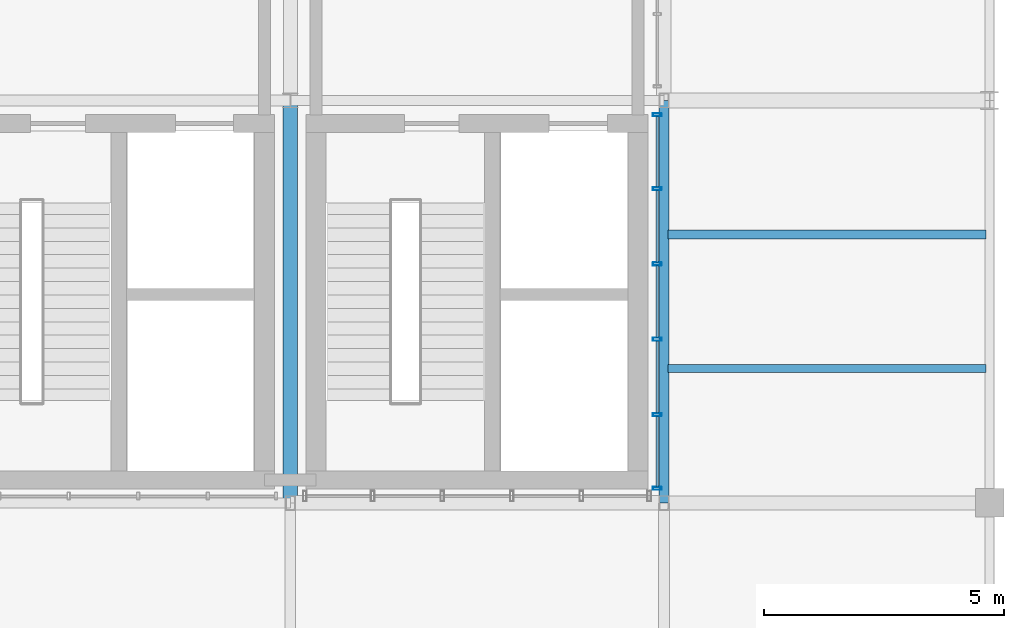
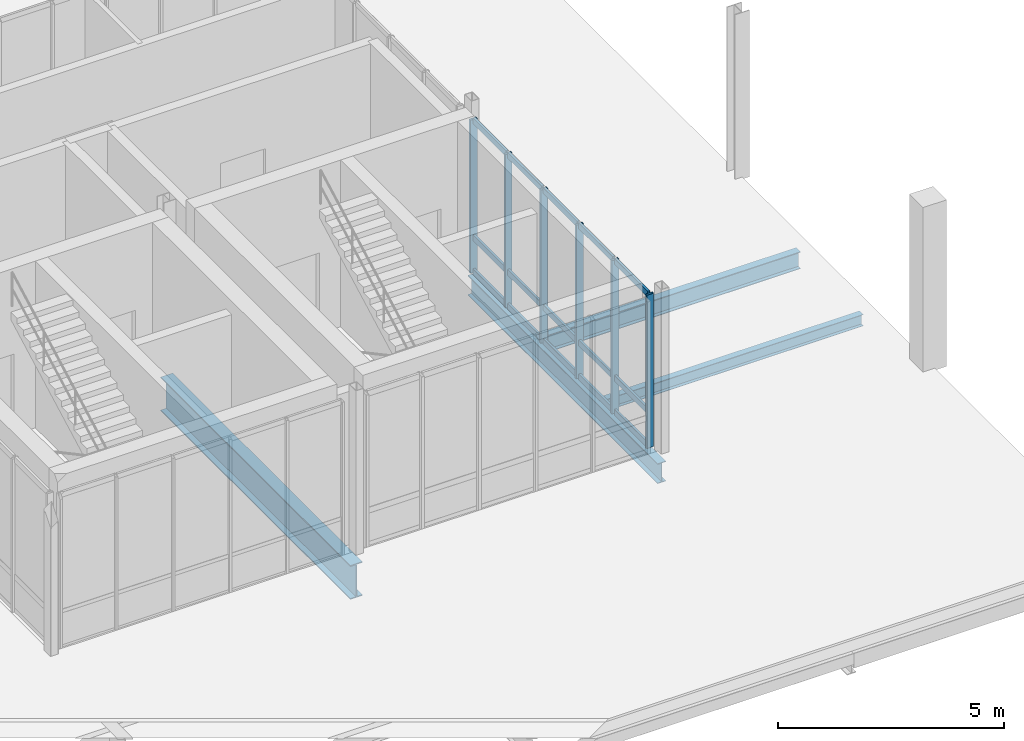
# One storey, part 39 of 66: 21 members, 4 beams, 1 element without a shape of its own.
"""IFC4 building model written with IfcOpenShell, lengths in metres."""

import ifcopenshell
import ifcopenshell.guid

model = None  # the IFC model being written
_history = None  # IfcOwnerHistory: only IFC2X3 demands one
_inside = {}  # id of a spatial element -> (the spatial element, [elements in it])
_under = {}  # id of a project, library or spatial element -> (it, [spatial elements below it])
_declared = {}  # id of a project -> (the project, [libraries it declares])
_typed = {}  # id of a type object -> (the type object, [elements of that type])
_made_of = {}  # id of a material, layer set ... -> (it, [elements and type objects made of it])


def new_model(schema):
    """Start an empty IFC model of exactly this schema.

    Asked for "IFC4X3", IfcOpenShell would pick the latest addendum, in which some entities
    have other attributes; the version numbers below select the first issue.
    IFC2X3 requires an IfcOwnerHistory on every rooted entity: one is made here for all.
    """
    global model, _history
    if schema == "IFC4X3":
        model = ifcopenshell.file(schema_version=(4, 3, 0, 0))
    else:
        model = ifcopenshell.file(schema=schema)
    _inside.clear()
    _under.clear()
    _declared.clear()
    _typed.clear()
    _made_of.clear()
    _history = None
    if model.schema == "IFC2X3":
        org = make("IfcOrganization", Name="unknown")
        user = make(
            "IfcPersonAndOrganization",
            ThePerson=make("IfcPerson", FamilyName="unknown"),
            TheOrganization=org,
        )
        app = make(
            "IfcApplication",
            ApplicationDeveloper=org,
            Version="unknown",
            ApplicationFullName="unknown",
            ApplicationIdentifier="unknown",
        )
        _history = make(
            "IfcOwnerHistory",
            OwningUser=user,
            OwningApplication=app,
            ChangeAction="ADDED",
            CreationDate=0,
        )
    return model


def make(cls, **values):
    """One entity of the class cls with the attributes given. An attribute that is None is left unset."""
    return model.create_entity(
        cls, **{name: value for name, value in values.items() if value is not None}
    )


def rooted(cls, **values):
    """An entity with a GlobalId (a new one), such as an element, a storey or a relation."""
    return make(cls, GlobalId=ifcopenshell.guid.new(), OwnerHistory=_history, **values)


def si_unit(unit_type, name, prefix=None):
    """IfcSIUnit, for example si_unit("LENGTHUNIT", "METRE", prefix="MILLI")."""
    return make("IfcSIUnit", UnitType=unit_type, Prefix=prefix, Name=name)


def assignment(units):
    """IfcUnitAssignment: the units of a project."""
    return None if units is None else make("IfcUnitAssignment", Units=units)


def point(xyz):
    """IfcCartesianPoint."""
    return None if xyz is None else make("IfcCartesianPoint", Coordinates=xyz)


def direction(xyz):
    """IfcDirection."""
    return None if xyz is None else make("IfcDirection", DirectionRatios=xyz)


def frame(location, z_axis=None, x_axis=None):
    """IfcAxis2Placement3D, a coordinate frame: its origin and axes. An axis left out is left unset."""
    return make(
        "IfcAxis2Placement3D",
        Location=point(location),
        Axis=direction(z_axis),
        RefDirection=direction(x_axis),
    )


def frame_2d(location, x_axis=None):
    """IfcAxis2Placement2D, a coordinate frame in the plane: its origin and x axis."""
    return make(
        "IfcAxis2Placement2D", Location=point(location), RefDirection=direction(x_axis)
    )


def origin_with_axes():
    """The frame at (0, 0, 0) with the z axis (0, 0, 1) and the x axis (1, 0, 0) written out."""
    return frame((0.0, 0.0, 0.0), z_axis=(0.0, 0.0, 1.0), x_axis=(1.0, 0.0, 0.0))


def origin_2d_with_axis():
    """The frame at (0, 0) in the plane with the x axis (1, 0) written out."""
    return frame_2d((0.0, 0.0), x_axis=(1.0, 0.0))


def place(relative_to, where):
    """IfcLocalPlacement: puts the frame where relative to a parent placement (None: the world)."""
    return make(
        "IfcLocalPlacement", PlacementRelTo=relative_to, RelativePlacement=where
    )


def context(
    kind, dimensions, precision=None, world=None, true_north=None, identifier=None
):
    """IfcGeometricRepresentationContext, for example the 3D "Model" context."""
    return make(
        "IfcGeometricRepresentationContext",
        ContextIdentifier=identifier,
        ContextType=kind,
        CoordinateSpaceDimension=dimensions,
        Precision=precision,
        WorldCoordinateSystem=world,
        TrueNorth=true_north,
    )


def subcontext(parent, identifier, kind, view, scale=None):
    """IfcGeometricRepresentationSubContext, for example "Body" below "Model"."""
    return make(
        "IfcGeometricRepresentationSubContext",
        ContextIdentifier=identifier,
        ContextType=kind,
        ParentContext=parent,
        TargetScale=scale,
        TargetView=view,
    )


def project(units=None, contexts=None):
    """IfcProject with its units and contexts."""
    return rooted(
        "IfcProject",
        Name="project",
        RepresentationContexts=contexts,
        UnitsInContext=assignment(units),
    )


def spatial(cls, under=None, at=None, **own):
    """A site, building, storey or space (cls), placed at a placement, below another one or the project."""
    s = rooted(cls, ObjectPlacement=at, **own)
    if under is not None:
        _under.setdefault(under.id(), (under, []))[1].append(s)
    return s


def profile(cls, at=None, kind="AREA", **sizes):
    """A parametric profile (cls). Its sizes go by their IFC names, for example OverallWidth=200.0."""
    return make(cls, ProfileType=kind, Position=at, **sizes)


def hollow_rectangle(**sizes):
    """IfcRectangleHollowProfileDef."""
    return profile("IfcRectangleHollowProfileDef", **sizes)


def i_section(**sizes):
    """IfcIShapeProfileDef."""
    return profile("IfcIShapeProfileDef", **sizes)


def extrude(swept, where, along, depth):
    """IfcExtrudedAreaSolid: the profile swept, set in the frame where, extruded along a direction by depth."""
    return make(
        "IfcExtrudedAreaSolid",
        SweptArea=swept,
        Position=where,
        ExtrudedDirection=direction(along),
        Depth=depth,
    )


def shape(context_of_items, identifier, shape_type, items):
    """IfcShapeRepresentation: the items that make up one representation, for example the "Body"."""
    return make(
        "IfcShapeRepresentation",
        ContextOfItems=context_of_items,
        RepresentationIdentifier=identifier,
        RepresentationType=shape_type,
        Items=items,
    )


def material(Name=None, Category=None):
    """IfcMaterial."""
    return make("IfcMaterial", Name=Name, Category=Category)


def material_profile(
    of_material, cross_section, Name=None, Category=None, Priority=None
):
    """IfcMaterialProfile: a cross section and its material."""
    return make(
        "IfcMaterialProfile",
        Name=Name,
        Material=of_material,
        Profile=cross_section,
        Priority=Priority,
        Category=Category,
    )


def profile_set(profiles, Name=None, composite=None):
    """IfcMaterialProfileSet."""
    return make(
        "IfcMaterialProfileSet",
        Name=Name,
        MaterialProfiles=profiles,
        CompositeProfile=composite,
    )


def made_of(thing, what):
    """Note that an element or type object is made of a material, layer set ...; save() writes the relation."""
    if what is not None:
        _made_of.setdefault(what.id(), (what, []))[1].append(thing)
    return thing


def type_object(cls, material=None, **own):
    """A type object (cls), such as IfcWallType, which elements share."""
    return made_of(rooted(cls, **own), material)


def element(
    cls,
    number,
    at=None,
    inside=None,
    cuts=None,
    type_object=None,
    material=None,
    context=None,
    identifier="Body",
    shape_type=None,
    held_by="IfcProductDefinitionShape",
    body=None,
    shapes=None,
    **own,
):
    """One element of the class cls, such as IfcWall. Its Tag is "e" and its number.

    at: its placement. inside: the storey or other place that contains it. cuts: it is an
    opening in that element (IfcRelVoidsElement). A single representation is given by context,
    identifier, shape_type and body (its items); several are given by shapes. held_by: the class
    of the entity that holds the representations. save() writes the other relations.
    """
    e = rooted(cls, Tag="e%d" % number, ObjectPlacement=at, **own)
    if body is not None:
        shapes = [shape(context, identifier, shape_type, body)]
    if shapes is not None:
        e.Representation = make(held_by, Representations=shapes)
    if inside is not None:
        _inside.setdefault(inside.id(), (inside, []))[1].append(e)
    if cuts is not None:
        rooted(
            "IfcRelVoidsElement", RelatingBuildingElement=cuts, RelatedOpeningElement=e
        )
    if type_object is not None:
        _typed.setdefault(type_object.id(), (type_object, []))[1].append(e)
    return made_of(e, material)


def aggregate(whole, parts):
    """IfcRelAggregates: a whole, such as a stair, and the parts it consists of."""
    return rooted("IfcRelAggregates", RelatingObject=whole, RelatedObjects=parts)


def save(model, path):
    """Write the relations noted so far, then the file.

    IfcRelAggregates (storeys below a building ...), IfcRelContainedInSpatialStructure (elements
    in a storey), IfcRelDefinesByType, IfcRelAssociatesMaterial and IfcRelDeclares: one each for
    every whole, place, type object, material and project.
    """
    for whole, parts in _under.values():
        aggregate(whole, parts)
    for where, things in _inside.values():
        rooted(
            "IfcRelContainedInSpatialStructure",
            RelatedElements=things,
            RelatingStructure=where,
        )
    for kind, things in _typed.values():
        rooted("IfcRelDefinesByType", RelatedObjects=things, RelatingType=kind)
    for what, things in _made_of.values():
        rooted("IfcRelAssociatesMaterial", RelatedObjects=things, RelatingMaterial=what)
    for by, libraries in _declared.values():
        rooted("IfcRelDeclares", RelatingContext=by, RelatedDefinitions=libraries)
    model.write(path)


model = new_model("IFC4")

# Units and contexts
model_context = context("Model", 3, precision=1e-05, world=origin_with_axes(), true_north=direction((0.0, 1.0)))
body_context = subcontext(model_context, "Body", "Model", "MODEL_VIEW")
ifc_project = project(units=[si_unit("LENGTHUNIT", "METRE"), si_unit("AREAUNIT", "SQUARE_METRE"), si_unit("VOLUMEUNIT", "CUBIC_METRE"), si_unit("PLANEANGLEUNIT", "RADIAN"), si_unit("MASSUNIT", "GRAM", prefix="KILO"), si_unit("THERMODYNAMICTEMPERATUREUNIT", "KELVIN")], contexts=[model_context])

# Site, building, storey
site_placement = place(None, origin_with_axes())
site = spatial("IfcSite", under=ifc_project, at=site_placement, CompositionType="ELEMENT")
building_placement = place(site_placement, origin_with_axes())
building = spatial("IfcBuilding", under=site, at=building_placement, Name="Montbau Bow Law Courts", CompositionType="ELEMENT")
storey_placement = place(building_placement, frame((0.0, 0.0, 34.5), z_axis=(0.0, 0.0, 1.0), x_axis=(1.0, 0.0, 0.0)))
storey = spatial("IfcBuildingStorey", under=building, at=storey_placement, Name="L07", CompositionType="ELEMENT", Elevation=34.5)

# Beams
ifc_material_1 = material(Name="Steel CSA G40.21 Grade 350W (350 MPa)", Category="steel")
ifc_material_profile_1 = material_profile(ifc_material_1, i_section(OverallWidth=0.306, OverallDepth=0.919, WebThickness=0.0173, FlangeThickness=0.0279, at=origin_2d_with_axis()), Name="W920X253", Category="Main", Priority=0)
ifc_profile_set_1 = profile_set([ifc_material_profile_1], Name="Steel CSA G40.21 Grade 350W (350 MPa)")
beam_type_1 = type_object("IfcBeamType", Name="B-FLR-01", PredefinedType="BEAM", material=ifc_profile_set_1)
beam_1_placement = place(None, frame((154.8, 86.4, 33.751), z_axis=(0.0, 1.0, 0.0), x_axis=(-1.0, 0.0, 0.0)))
element("IfcBeam", 1, at=beam_1_placement, inside=storey, type_object=beam_type_1, Name="BM-L07-S1367:bm2_1370", PredefinedType="BEAM", context=body_context, shape_type="SweptSolid", body=[
    extrude(i_section(OverallWidth=0.306, OverallDepth=0.919, WebThickness=0.0173, FlangeThickness=0.0279, at=origin_2d_with_axis()), origin_with_axes(), (0.0, 0.0, 1.0), 8.4),
])
ifc_material_profile_2 = material_profile(ifc_material_1, i_section(OverallWidth=0.21, OverallDepth=0.537, WebThickness=0.0109, FlangeThickness=0.0174, at=origin_2d_with_axis()), Name="W530X101", Category="Main", Priority=0)
ifc_profile_set_2 = profile_set([ifc_material_profile_2], Name="Steel CSA G40.21 Grade 350W (350 MPa)")
beam_type_2 = type_object("IfcBeamType", Name="B-FLR-06", PredefinedType="BEAM", material=ifc_profile_set_2)
beam_2_placement = place(None, frame((162.6, 86.4, 33.941), z_axis=(0.0, 1.0, 0.0), x_axis=(-1.0, 0.0, 0.0)))
element("IfcBeam", 2, at=beam_2_placement, inside=storey, type_object=beam_type_2, Name="BM-L07-S1371:bm2_1374", PredefinedType="BEAM", context=body_context, shape_type="SweptSolid", body=[
    extrude(i_section(OverallWidth=0.21, OverallDepth=0.537, WebThickness=0.0109, FlangeThickness=0.0174, at=origin_2d_with_axis()), origin_with_axes(), (0.0, 0.0, 1.0), 8.4),
])
ifc_material_profile_3 = material_profile(ifc_material_1, i_section(OverallWidth=0.191, OverallDepth=0.46, WebThickness=0.0099, FlangeThickness=0.016, at=origin_2d_with_axis()), Name="W460X82", Category="Main", Priority=0)
ifc_profile_set_3 = profile_set([ifc_material_profile_3], Name="Steel CSA G40.21 Grade 350W (350 MPa)")
beam_type_3 = type_object("IfcBeamType", Name="B-JST-01", PredefinedType="JOIST", material=ifc_profile_set_3)
beam_3_placement = place(None, frame((162.681, 92.0, 33.98), z_axis=(1.0, 0.0, 0.0), x_axis=(0.0, 1.0, 0.0)))
element("IfcBeam", 3, at=beam_3_placement, inside=storey, type_object=beam_type_3, Name="JST-L07-S0760:jst2_0760", PredefinedType="JOIST", context=body_context, shape_type="SweptSolid", body=[
    extrude(i_section(OverallWidth=0.191, OverallDepth=0.46, WebThickness=0.0099, FlangeThickness=0.016, at=origin_2d_with_axis()), origin_with_axes(), (0.0, 0.0, 1.0), 6.639),
])
ifc_material_profile_4 = material_profile(ifc_material_1, i_section(OverallWidth=0.166, OverallDepth=0.313, WebThickness=0.0066, FlangeThickness=0.0112, at=origin_2d_with_axis()), Name="W310X45", Category="Main", Priority=0)
ifc_profile_set_4 = profile_set([ifc_material_profile_4], Name="Steel CSA G40.21 Grade 350W (350 MPa)")
beam_type_4 = type_object("IfcBeamType", Name="B-JST-04", PredefinedType="JOIST", material=ifc_profile_set_4)
beam_4_placement = place(None, frame((162.681, 89.2, 34.053), z_axis=(1.0, 0.0, 0.0), x_axis=(0.0, 1.0, 0.0)))
element("IfcBeam", 4, at=beam_4_placement, inside=storey, type_object=beam_type_4, Name="JST-L07-S0759:jst2_0759", PredefinedType="JOIST", context=body_context, shape_type="SweptSolid", body=[
    extrude(i_section(OverallWidth=0.166, OverallDepth=0.313, WebThickness=0.0066, FlangeThickness=0.0112, at=origin_2d_with_axis()), origin_with_axes(), (0.0, 0.0, 1.0), 6.639),
])

# Curtain wall, members
ifc_material_2 = material(Name="Thermally Broken Extruded Aluminium AA 6063-T6", Category="aluminium")
curtain_wall_type = type_object("IfcCurtainWallType", Name="CW-NCK-03", PredefinedType="NOTDEFINED", material=ifc_material_2)
curtain_wall_placement = place(None, frame((162.46, 86.668, 34.5), z_axis=(0.0, 0.0, 1.0), x_axis=(1.0, 0.0, 0.0)))
curtain_wall = element("IfcCurtainWall", 5, at=curtain_wall_placement, inside=storey, type_object=curtain_wall_type, Name="CW-L07-370:cw_0370", PredefinedType="NOTDEFINED")
ifc_material_profile_5 = material_profile(ifc_material_2, hollow_rectangle(XDim=0.065, YDim=0.18, WallThickness=0.005, InnerFilletRadius=0.01, OuterFilletRadius=0.005, at=origin_2d_with_axis()), Name="CWM-180X65", Category="Main", Priority=0)
ifc_profile_set_5 = profile_set([ifc_material_profile_5], Name="Thermally Broken Extruded Aluminium AA 6063-T6")
member_type_1 = type_object("IfcMemberType", Name="M-MUL-02", PredefinedType="MULLION", material=ifc_profile_set_5)
member_1_placement = place(None, frame((162.46, 86.701, 34.5), z_axis=(0.0, 0.0, 1.0), x_axis=(0.0, 1.0, 0.0)))
member_1 = element("IfcMember", 6, at=member_1_placement, type_object=member_type_1, Name="CW-L07-370-M01:cw_0370_M01", PredefinedType="MULLION", context=body_context, shape_type="SweptSolid", body=[
    extrude(hollow_rectangle(XDim=0.065, YDim=0.18, WallThickness=0.005, InnerFilletRadius=0.01, OuterFilletRadius=0.005, at=origin_2d_with_axis()), origin_with_axes(), (0.0, 0.0, 1.0), 4.14),
])
member_2_placement = place(None, frame((162.46, 88.241, 34.5), z_axis=(0.0, 0.0, 1.0), x_axis=(0.0, 1.0, 0.0)))
member_2 = element("IfcMember", 7, at=member_2_placement, type_object=member_type_1, Name="CW-L07-370-M02:cw_0370_M02", PredefinedType="MULLION", context=body_context, shape_type="SweptSolid", body=[
    extrude(hollow_rectangle(XDim=0.065, YDim=0.18, WallThickness=0.005, InnerFilletRadius=0.01, OuterFilletRadius=0.005, at=origin_2d_with_axis()), origin_with_axes(), (0.0, 0.0, 1.0), 4.14),
])
member_3_placement = place(None, frame((162.46, 89.814, 34.5), z_axis=(0.0, 0.0, 1.0), x_axis=(0.0, 1.0, 0.0)))
member_3 = element("IfcMember", 8, at=member_3_placement, type_object=member_type_1, Name="CW-L07-370-M03:cw_0370_M03", PredefinedType="MULLION", context=body_context, shape_type="SweptSolid", body=[
    extrude(hollow_rectangle(XDim=0.065, YDim=0.18, WallThickness=0.005, InnerFilletRadius=0.01, OuterFilletRadius=0.005, at=origin_2d_with_axis()), origin_with_axes(), (0.0, 0.0, 1.0), 4.14),
])
member_4_placement = place(None, frame((162.46, 91.386, 34.5), z_axis=(0.0, 0.0, 1.0), x_axis=(0.0, 1.0, 0.0)))
member_4 = element("IfcMember", 9, at=member_4_placement, type_object=member_type_1, Name="CW-L07-370-M04:cw_0370_M04", PredefinedType="MULLION", context=body_context, shape_type="SweptSolid", body=[
    extrude(hollow_rectangle(XDim=0.065, YDim=0.18, WallThickness=0.005, InnerFilletRadius=0.01, OuterFilletRadius=0.005, at=origin_2d_with_axis()), origin_with_axes(), (0.0, 0.0, 1.0), 4.14),
])
member_5_placement = place(None, frame((162.46, 92.959, 34.5), z_axis=(0.0, 0.0, 1.0), x_axis=(0.0, 1.0, 0.0)))
member_5 = element("IfcMember", 10, at=member_5_placement, type_object=member_type_1, Name="CW-L07-370-M05:cw_0370_M05", PredefinedType="MULLION", context=body_context, shape_type="SweptSolid", body=[
    extrude(hollow_rectangle(XDim=0.065, YDim=0.18, WallThickness=0.005, InnerFilletRadius=0.01, OuterFilletRadius=0.005, at=origin_2d_with_axis()), origin_with_axes(), (0.0, 0.0, 1.0), 4.14),
])
member_6_placement = place(None, frame((162.46, 94.499, 34.5), z_axis=(0.0, 0.0, 1.0), x_axis=(0.0, 1.0, 0.0)))
member_6 = element("IfcMember", 11, at=member_6_placement, type_object=member_type_1, Name="CW-L07-370-M06:cw_0370_M06", PredefinedType="MULLION", context=body_context, shape_type="SweptSolid", body=[
    extrude(hollow_rectangle(XDim=0.065, YDim=0.18, WallThickness=0.005, InnerFilletRadius=0.01, OuterFilletRadius=0.005, at=origin_2d_with_axis()), origin_with_axes(), (0.0, 0.0, 1.0), 4.14),
])
ifc_material_profile_6 = material_profile(ifc_material_2, hollow_rectangle(XDim=0.06, YDim=0.16, WallThickness=0.004, InnerFilletRadius=0.008, OuterFilletRadius=0.004, at=origin_2d_with_axis()), Name="CWT-160X60", Category="Main", Priority=0)
ifc_profile_set_6 = profile_set([ifc_material_profile_6], Name="Thermally Broken Extruded Aluminium AA 6063-T6")
member_type_2 = type_object("IfcMemberType", Name="M-TRN-01", PredefinedType="USERDEFINED", material=ifc_profile_set_6)
member_7_placement = place(None, frame((162.46, 86.736, 34.53), z_axis=(0.0, 1.0, 0.0), x_axis=(-1.0, 0.0, 0.0)))
member_7 = element("IfcMember", 12, at=member_7_placement, type_object=member_type_2, Name="CW-L07-370-T01-1:cw_0370_T01_1", ObjectType="TRANSOM", PredefinedType="USERDEFINED", context=body_context, shape_type="SweptSolid", body=[
    extrude(hollow_rectangle(XDim=0.06, YDim=0.16, WallThickness=0.004, InnerFilletRadius=0.008, OuterFilletRadius=0.004, at=origin_2d_with_axis()), origin_with_axes(), (0.0, 0.0, 1.0), 1.47),
])
member_8_placement = place(None, frame((162.46, 86.736, 35.45), z_axis=(0.0, 1.0, 0.0), x_axis=(-1.0, 0.0, 0.0)))
member_8 = element("IfcMember", 13, at=member_8_placement, type_object=member_type_2, Name="CW-L07-370-T01-2:cw_0370_T01_2", ObjectType="TRANSOM", PredefinedType="USERDEFINED", context=body_context, shape_type="SweptSolid", body=[
    extrude(hollow_rectangle(XDim=0.06, YDim=0.16, WallThickness=0.004, InnerFilletRadius=0.008, OuterFilletRadius=0.004, at=origin_2d_with_axis()), origin_with_axes(), (0.0, 0.0, 1.0), 1.47),
])
member_9_placement = place(None, frame((162.46, 86.736, 38.61), z_axis=(0.0, 1.0, 0.0), x_axis=(-1.0, 0.0, 0.0)))
member_9 = element("IfcMember", 14, at=member_9_placement, type_object=member_type_2, Name="CW-L07-370-T01-3:cw_0370_T01_3", ObjectType="TRANSOM", PredefinedType="USERDEFINED", context=body_context, shape_type="SweptSolid", body=[
    extrude(hollow_rectangle(XDim=0.06, YDim=0.16, WallThickness=0.004, InnerFilletRadius=0.008, OuterFilletRadius=0.004, at=origin_2d_with_axis()), origin_with_axes(), (0.0, 0.0, 1.0), 1.47),
])
member_10_placement = place(None, frame((162.46, 88.275, 34.53), z_axis=(0.0, 1.0, 0.0), x_axis=(-1.0, 0.0, 0.0)))
member_10 = element("IfcMember", 15, at=member_10_placement, type_object=member_type_2, Name="CW-L07-370-T02-1:cw_0370_T02_1", ObjectType="TRANSOM", PredefinedType="USERDEFINED", context=body_context, shape_type="SweptSolid", body=[
    extrude(hollow_rectangle(XDim=0.06, YDim=0.16, WallThickness=0.004, InnerFilletRadius=0.008, OuterFilletRadius=0.004, at=origin_2d_with_axis()), origin_with_axes(), (0.0, 0.0, 1.0), 1.504),
])
member_11_placement = place(None, frame((162.46, 88.275, 35.45), z_axis=(0.0, 1.0, 0.0), x_axis=(-1.0, 0.0, 0.0)))
member_11 = element("IfcMember", 16, at=member_11_placement, type_object=member_type_2, Name="CW-L07-370-T02-2:cw_0370_T02_2", ObjectType="TRANSOM", PredefinedType="USERDEFINED", context=body_context, shape_type="SweptSolid", body=[
    extrude(hollow_rectangle(XDim=0.06, YDim=0.16, WallThickness=0.004, InnerFilletRadius=0.008, OuterFilletRadius=0.004, at=origin_2d_with_axis()), origin_with_axes(), (0.0, 0.0, 1.0), 1.504),
])
member_12_placement = place(None, frame((162.46, 88.275, 38.61), z_axis=(0.0, 1.0, 0.0), x_axis=(-1.0, 0.0, 0.0)))
member_12 = element("IfcMember", 17, at=member_12_placement, type_object=member_type_2, Name="CW-L07-370-T02-3:cw_0370_T02_3", ObjectType="TRANSOM", PredefinedType="USERDEFINED", context=body_context, shape_type="SweptSolid", body=[
    extrude(hollow_rectangle(XDim=0.06, YDim=0.16, WallThickness=0.004, InnerFilletRadius=0.008, OuterFilletRadius=0.004, at=origin_2d_with_axis()), origin_with_axes(), (0.0, 0.0, 1.0), 1.504),
])
member_13_placement = place(None, frame((162.46, 89.848, 34.53), z_axis=(0.0, 1.0, 0.0), x_axis=(-1.0, 0.0, 0.0)))
member_13 = element("IfcMember", 18, at=member_13_placement, type_object=member_type_2, Name="CW-L07-370-T03-1:cw_0370_T03_1", ObjectType="TRANSOM", PredefinedType="USERDEFINED", context=body_context, shape_type="SweptSolid", body=[
    extrude(hollow_rectangle(XDim=0.06, YDim=0.16, WallThickness=0.004, InnerFilletRadius=0.008, OuterFilletRadius=0.004, at=origin_2d_with_axis()), origin_with_axes(), (0.0, 0.0, 1.0), 1.504),
])
member_14_placement = place(None, frame((162.46, 89.848, 35.45), z_axis=(0.0, 1.0, 0.0), x_axis=(-1.0, 0.0, 0.0)))
member_14 = element("IfcMember", 19, at=member_14_placement, type_object=member_type_2, Name="CW-L07-370-T03-2:cw_0370_T03_2", ObjectType="TRANSOM", PredefinedType="USERDEFINED", context=body_context, shape_type="SweptSolid", body=[
    extrude(hollow_rectangle(XDim=0.06, YDim=0.16, WallThickness=0.004, InnerFilletRadius=0.008, OuterFilletRadius=0.004, at=origin_2d_with_axis()), origin_with_axes(), (0.0, 0.0, 1.0), 1.504),
])
member_15_placement = place(None, frame((162.46, 89.848, 38.61), z_axis=(0.0, 1.0, 0.0), x_axis=(-1.0, 0.0, 0.0)))
member_15 = element("IfcMember", 20, at=member_15_placement, type_object=member_type_2, Name="CW-L07-370-T03-3:cw_0370_T03_3", ObjectType="TRANSOM", PredefinedType="USERDEFINED", context=body_context, shape_type="SweptSolid", body=[
    extrude(hollow_rectangle(XDim=0.06, YDim=0.16, WallThickness=0.004, InnerFilletRadius=0.008, OuterFilletRadius=0.004, at=origin_2d_with_axis()), origin_with_axes(), (0.0, 0.0, 1.0), 1.504),
])
member_16_placement = place(None, frame((162.46, 91.42, 34.53), z_axis=(0.0, 1.0, 0.0), x_axis=(-1.0, 0.0, 0.0)))
member_16 = element("IfcMember", 21, at=member_16_placement, type_object=member_type_2, Name="CW-L07-370-T04-1:cw_0370_T04_1", ObjectType="TRANSOM", PredefinedType="USERDEFINED", context=body_context, shape_type="SweptSolid", body=[
    extrude(hollow_rectangle(XDim=0.06, YDim=0.16, WallThickness=0.004, InnerFilletRadius=0.008, OuterFilletRadius=0.004, at=origin_2d_with_axis()), origin_with_axes(), (0.0, 0.0, 1.0), 1.505),
])
member_17_placement = place(None, frame((162.46, 91.42, 35.45), z_axis=(0.0, 1.0, 0.0), x_axis=(-1.0, 0.0, 0.0)))
member_17 = element("IfcMember", 22, at=member_17_placement, type_object=member_type_2, Name="CW-L07-370-T04-2:cw_0370_T04_2", ObjectType="TRANSOM", PredefinedType="USERDEFINED", context=body_context, shape_type="SweptSolid", body=[
    extrude(hollow_rectangle(XDim=0.06, YDim=0.16, WallThickness=0.004, InnerFilletRadius=0.008, OuterFilletRadius=0.004, at=origin_2d_with_axis()), origin_with_axes(), (0.0, 0.0, 1.0), 1.505),
])
member_18_placement = place(None, frame((162.46, 91.42, 38.61), z_axis=(0.0, 1.0, 0.0), x_axis=(-1.0, 0.0, 0.0)))
member_18 = element("IfcMember", 23, at=member_18_placement, type_object=member_type_2, Name="CW-L07-370-T04-3:cw_0370_T04_3", ObjectType="TRANSOM", PredefinedType="USERDEFINED", context=body_context, shape_type="SweptSolid", body=[
    extrude(hollow_rectangle(XDim=0.06, YDim=0.16, WallThickness=0.004, InnerFilletRadius=0.008, OuterFilletRadius=0.004, at=origin_2d_with_axis()), origin_with_axes(), (0.0, 0.0, 1.0), 1.505),
])
member_19_placement = place(None, frame((162.46, 92.993, 34.53), z_axis=(0.0, 1.0, 0.0), x_axis=(-1.0, 0.0, 0.0)))
member_19 = element("IfcMember", 24, at=member_19_placement, type_object=member_type_2, Name="CW-L07-370-T05-1:cw_0370_T05_1", ObjectType="TRANSOM", PredefinedType="USERDEFINED", context=body_context, shape_type="SweptSolid", body=[
    extrude(hollow_rectangle(XDim=0.06, YDim=0.16, WallThickness=0.004, InnerFilletRadius=0.008, OuterFilletRadius=0.004, at=origin_2d_with_axis()), origin_with_axes(), (0.0, 0.0, 1.0), 1.472),
])
member_20_placement = place(None, frame((162.46, 92.993, 35.45), z_axis=(0.0, 1.0, 0.0), x_axis=(-1.0, 0.0, 0.0)))
member_20 = element("IfcMember", 25, at=member_20_placement, type_object=member_type_2, Name="CW-L07-370-T05-2:cw_0370_T05_2", ObjectType="TRANSOM", PredefinedType="USERDEFINED", context=body_context, shape_type="SweptSolid", body=[
    extrude(hollow_rectangle(XDim=0.06, YDim=0.16, WallThickness=0.004, InnerFilletRadius=0.008, OuterFilletRadius=0.004, at=origin_2d_with_axis()), origin_with_axes(), (0.0, 0.0, 1.0), 1.472),
])
member_21_placement = place(None, frame((162.46, 92.993, 38.61), z_axis=(0.0, 1.0, 0.0), x_axis=(-1.0, 0.0, 0.0)))
member_21 = element("IfcMember", 26, at=member_21_placement, type_object=member_type_2, Name="CW-L07-370-T05-3:cw_0370_T05_3", ObjectType="TRANSOM", PredefinedType="USERDEFINED", context=body_context, shape_type="SweptSolid", body=[
    extrude(hollow_rectangle(XDim=0.06, YDim=0.16, WallThickness=0.004, InnerFilletRadius=0.008, OuterFilletRadius=0.004, at=origin_2d_with_axis()), origin_with_axes(), (0.0, 0.0, 1.0), 1.472),
])
aggregate(curtain_wall, [member_1, member_2, member_3, member_4, member_5, member_6, member_7, member_8, member_9, member_10, member_11, member_12, member_13, member_14, member_15, member_16, member_17, member_18, member_19, member_20, member_21])

save(model, "model.ifc")
